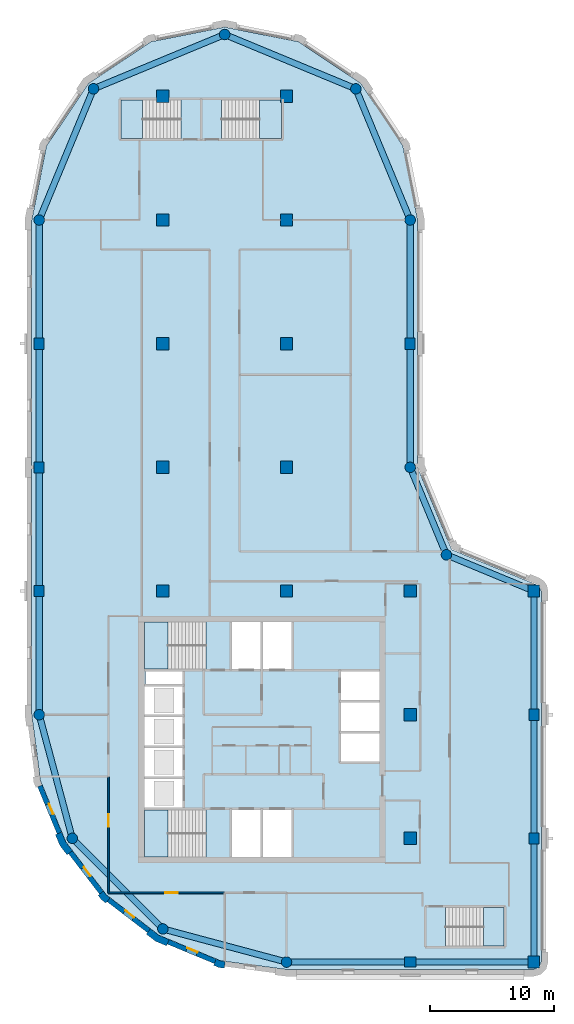
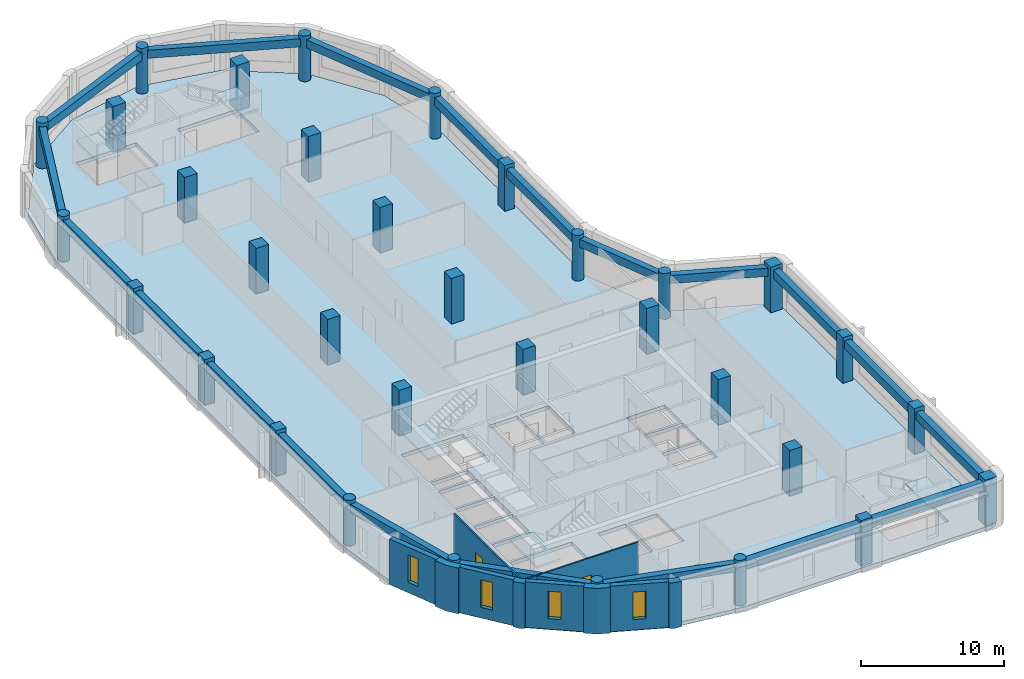
# One storey, part 1 of 8: 33 columns, 20 beams, 10 walls, 6 slabs, 4 windows, 2 doors, 6 openings, 5 elements without a shape of their own.
"""IFC4 building model written with IfcOpenShell, lengths in metres."""

from ifc_helpers import new_model, si_unit, direction, frame, frame_2d, origin, origin_2d, place, context, subcontext, project, spatial, polyline, rectangle, circle, outline, extrude, material, layer, layer_set, material_profile, profile_set, type_object, element, fill, aggregate, save


model = new_model("IFC4")

# Units and contexts
model_context = context("Model", 3, precision=1e-05, world=origin(), true_north=direction((0.0, 1.0)))
body_context = subcontext(model_context, "Body", "Model", "MODEL_VIEW")
ifc_project = project(units=[si_unit("LENGTHUNIT", "METRE"), si_unit("AREAUNIT", "SQUARE_METRE"), si_unit("VOLUMEUNIT", "CUBIC_METRE"), si_unit("PLANEANGLEUNIT", "RADIAN"), si_unit("MASSUNIT", "GRAM", prefix="KILO")], contexts=[model_context])

# Site, building, storey
site_placement = place(None, origin())
site = spatial("IfcSite", under=ifc_project, at=site_placement, CompositionType="ELEMENT")
building_placement = place(site_placement, origin())
building = spatial("IfcBuilding", under=site, at=building_placement, Name="Qaws Garden Tower", CompositionType="ELEMENT")
storey_placement = place(building_placement, frame((0.0, 0.0, 306.0)))
storey = spatial("IfcBuildingStorey", under=building, at=storey_placement, Name="L74", CompositionType="ELEMENT", Elevation=306.0)

# Columns
ifc_material_1 = material(Name="Concrete C60", Category="concrete")
ifc_material_profile_1 = material_profile(ifc_material_1, rectangle(XDim=1.0, YDim=1.0, at=origin_2d()), Name="RC 1000x1000")
ifc_profile_set_1 = profile_set([ifc_material_profile_1], Name="Concrete C60")
column_type_1 = type_object("IfcColumnType", Name="Column RC 1000x1000 C60", PredefinedType="COLUMN", material=ifc_profile_set_1)
for number, where, z_axis, x_axis, name in (
    (1, (10.0, 30.0, 0.0), (0.0, 0.0, 1.0), (1.0, 0.0, 0.0), "Column L74-021"),
    (2, (10.0, 40.0, 0.0), (0.0, 0.0, 1.0), (1.0, 0.0, 0.0), "Column L74-022"),
    (3, (10.0, 50.0, 0.0), (0.0, 0.0, 1.0), (1.0, 0.0, 0.0), "Column L74-023"),
    (4, (10.0, 60.0, 0.0), (0.0, 0.0, 1.0), (1.0, 0.0, 0.0), "Column L74-024"),
    (5, (10.0, 70.0, 0.0), (0.0, 0.0, 1.0), (1.0, 0.0, 0.0), "Column L74-025"),
    (6, (20.0, 30.0, 0.0), (0.0, 0.0, 1.0), (1.0, 0.0, 0.0), "Column L74-026"),
    (7, (20.0, 40.0, 0.0), (0.0, 0.0, 1.0), (1.0, 0.0, 0.0), "Column L74-027"),
    (8, (20.0, 50.0, 0.0), (0.0, 0.0, 1.0), (1.0, 0.0, 0.0), "Column L74-028"),
    (9, (20.0, 60.0, 0.0), (0.0, 0.0, 1.0), (1.0, 0.0, 0.0), "Column L74-029"),
    (10, (20.0, 70.0, 0.0), (0.0, 0.0, 1.0), (1.0, 0.0, 0.0), "Column L74-030"),
    (11, (30.0, 10.0, 0.0), (0.0, 0.0, 1.0), (1.0, 0.0, 0.0), "Column L74-031"),
    (12, (30.0, 20.0, 0.0), (0.0, 0.0, 1.0), (1.0, 0.0, 0.0), "Column L74-032"),
    (13, (30.0, 30.0, 0.0), (0.0, 0.0, 1.0), (1.0, 0.0, 0.0), "Column L74-033"),
):
    element("IfcColumn", number, at=place(storey_placement, frame(where, z_axis=z_axis, x_axis=x_axis)), inside=storey, type_object=column_type_1, Name=name, PredefinedType="COLUMN", context=body_context, shape_type="SweptSolid", body=[
        extrude(rectangle(XDim=1.0, YDim=1.0, at=origin_2d()), origin(), (0.0, 0.0, 1.0), 3.89990234375),
    ])
ifc_material_2 = material(Name="Concrete C60", Category="concrete")
ifc_material_profile_2 = material_profile(ifc_material_2, rectangle(XDim=0.89990234375, YDim=0.800048828125, at=origin_2d()), Name="RC 900x800")
ifc_profile_set_2 = profile_set([ifc_material_profile_2], Name="Concrete C60")
column_type_2 = type_object("IfcColumnType", Name="Column RC 900x800 C60", PredefinedType="COLUMN", material=ifc_profile_set_2)
for number, where, z_axis, x_axis, name in (
    (14, (30.0, 0.0, 0.0), (0.0, 0.0, 1.0), (1.0, 0.0, 0.0), "Column L74-002"),
    (15, (40.0, 10.0, 0.0), (0.0, 0.0, 1.0), (0.0, 1.0, 0.0), "Column L74-004"),
    (16, (40.0, 20.0, 0.0), (0.0, 0.0, 1.0), (0.0, 1.0, 0.0), "Column L74-005"),
    (17, (30.0, 50.0, 0.0), (0.0, 0.0, 1.0), (0.0, 1.0, 0.0), "Column L74-009"),
    (18, (0.0, 50.0, 0.0), (0.0, 0.0, 1.0), (0.0, 1.0, 0.0), "Column L74-015"),
    (19, (0.0, 40.0, 0.0), (0.0, 0.0, 1.0), (0.0, 1.0, 0.0), "Column L74-016"),
    (20, (0.0, 30.0, 0.0), (0.0, 0.0, 1.0), (0.0, 1.0, 0.0), "Column L74-017"),
):
    element("IfcColumn", number, at=place(storey_placement, frame(where, z_axis=z_axis, x_axis=x_axis)), inside=storey, type_object=column_type_2, Name=name, PredefinedType="COLUMN", context=body_context, shape_type="SweptSolid", body=[
        extrude(rectangle(XDim=0.89990234375, YDim=0.800048828125, at=origin_2d()), origin(), (0.0, 0.0, 1.0), 3.89990234375),
    ])
ifc_material_3 = material(Name="Concrete C60", Category="concrete")
ifc_material_profile_3 = material_profile(ifc_material_3, rectangle(XDim=0.949951171875, YDim=0.949951171875, at=origin_2d()), Name="RC 950x950")
ifc_profile_set_3 = profile_set([ifc_material_profile_3], Name="Concrete C60")
column_type_3 = type_object("IfcColumnType", Name="Column RC 950x950 C60", PredefinedType="COLUMN", material=ifc_profile_set_3)
for number, where, z_axis, x_axis, name in (
    (21, (40.0, 0.0, 0.0), (0.0, 0.0, 1.0), (1.0, 0.0, 0.0), "Column L74-003"),
    (22, (40.0, 30.0, 0.0), (0.0, 0.0, 1.0), (1.0, 0.0, 0.0), "Column L74-006"),
):
    element("IfcColumn", number, at=place(storey_placement, frame(where, z_axis=z_axis, x_axis=x_axis)), inside=storey, type_object=column_type_3, Name=name, PredefinedType="COLUMN", context=body_context, shape_type="SweptSolid", body=[
        extrude(rectangle(XDim=0.949951171875, YDim=0.949951171875, at=origin_2d()), origin(), (0.0, 0.0, 1.0), 3.89990234375),
    ])
ifc_material_4 = material(Name="Concrete C60", Category="concrete")
ifc_material_profile_4 = material_profile(ifc_material_4, circle(Radius=0.425048828125, at=origin_2d()), Name="RC D850")
ifc_profile_set_4 = profile_set([ifc_material_profile_4], Name="Concrete C60")
column_type_4 = type_object("IfcColumnType", Name="Column RC D850 C60", PredefinedType="COLUMN", material=ifc_profile_set_4)
for number, where, z_axis, x_axis, name in (
    (23, (20.0, 0.0, 0.0), (0.0, 0.0, 1.0), (1.0, 0.0, 0.0), "Column L74-001"),
    (24, (32.928955078125, 32.928955078125, 0.0), (0.0, 0.0, 1.0), (1.0, 0.0, 0.0), "Column L74-007"),
    (25, (30.0, 40.0, 0.0), (0.0, 0.0, 1.0), (1.0, 0.0, 0.0), "Column L74-008"),
    (26, (30.0, 60.0, 0.0), (0.0, 0.0, 1.0), (1.0, 0.0, 0.0), "Column L74-010"),
    (27, (25.606689453125, 70.606689453125, 0.0), (0.0, 0.0, 1.0), (1.0, 0.0, 0.0), "Column L74-011"),
    (28, (15.0, 75.0, 0.0), (0.0, 0.0, 1.0), (1.0, 0.0, 0.0), "Column L74-012"),
    (29, (4.393310546875, 70.606689453125, 0.0), (0.0, 0.0, 1.0), (1.0, 0.0, 0.0), "Column L74-013"),
    (30, (0.0, 60.0, 0.0), (0.0, 0.0, 1.0), (1.0, 0.0, 0.0), "Column L74-014"),
    (31, (0.0, 20.0, 0.0), (0.0, 0.0, 1.0), (1.0, 0.0, 0.0), "Column L74-018"),
    (32, (2.679443359375, 10.0, 0.0), (0.0, 0.0, 1.0), (1.0, 0.0, 0.0), "Column L74-019"),
    (33, (10.0, 2.679443359375, 0.0), (0.0, 0.0, 1.0), (1.0, 0.0, 0.0), "Column L74-020"),
):
    element("IfcColumn", number, at=place(storey_placement, frame(where, z_axis=z_axis, x_axis=x_axis)), inside=storey, type_object=column_type_4, Name=name, PredefinedType="COLUMN", context=body_context, shape_type="SweptSolid", body=[
        extrude(circle(Radius=0.425048828125, at=origin_2d()), origin(), (0.0, 0.0, 1.0), 3.89990234375),
    ])

# Beams
ifc_material_5 = material(Name="Concrete C45", Category="concrete")
ifc_material_profile_5 = material_profile(ifc_material_5, rectangle(XDim=0.5, YDim=0.699951171875, at=origin_2d()), Name="RC 500x700")
ifc_profile_set_5 = profile_set([ifc_material_profile_5], Name="Concrete C45")
beam_type = type_object("IfcBeamType", Name="Spandrel beam RC 500x700 C45", PredefinedType="SPANDREL", material=ifc_profile_set_5)
for number, where, z_axis, x_axis, name in (
    (34, (20.0, 0.0, 3.22998046875), (1.0, 0.0, 0.0), (0.0, 1.0, 0.0), "Spandrel beam L74-001"),
    (35, (30.0, 0.0, 3.22998046875), (1.0, 0.0, 0.0), (0.0, 1.0, 0.0), "Spandrel beam L74-002"),
    (36, (40.0, 0.0, 3.22998046875), (0.0, 1.0, 0.0), (-1.0, 0.0, 0.0), "Spandrel beam L74-003"),
    (37, (40.0, 10.0, 3.22998046875), (0.0, 1.0, 0.0), (-1.0, 0.0, 0.0), "Spandrel beam L74-004"),
    (38, (40.0, 20.0, 3.22998046875), (0.0, 1.0, 0.0), (-1.0, 0.0, 0.0), "Spandrel beam L74-005"),
):
    element("IfcBeam", number, at=place(storey_placement, frame(where, z_axis=z_axis, x_axis=x_axis)), inside=storey, type_object=beam_type, Name=name, PredefinedType="SPANDREL", context=body_context, shape_type="SweptSolid", body=[
        extrude(rectangle(XDim=0.5, YDim=0.699951171875, at=origin_2d()), origin(), (0.0, 0.0, 1.0), 10.0),
    ])
for number, where, z_axis, x_axis, name in (
    (39, (40.0, 30.0, 3.22998046875), (-0.923878037141, 0.382687042488, 0.0), (-0.382687042488, -0.923878037141, 0.0), "Spandrel beam L74-006"),
    (40, (32.928955078125, 32.928955078125, 3.22998046875), (-0.382687042488, 0.923878037141, 0.0), (-0.923878037141, -0.382687042488, 0.0), "Spandrel beam L74-007"),
):
    element("IfcBeam", number, at=place(storey_placement, frame(where, z_axis=z_axis, x_axis=x_axis)), inside=storey, type_object=beam_type, Name=name, PredefinedType="SPANDREL", context=body_context, shape_type="SweptSolid", body=[
        extrude(rectangle(XDim=0.5, YDim=0.699951171875, at=origin_2d()), origin(), (0.0, 0.0, 1.0), 7.653564453125),
    ])
for number, where, z_axis, x_axis, name in (
    (41, (30.0, 40.0, 3.22998046875), (0.0, 1.0, 0.0), (-1.0, 0.0, 0.0), "Spandrel beam L74-008"),
    (42, (30.0, 50.0, 3.22998046875), (0.0, 1.0, 0.0), (-1.0, 0.0, 0.0), "Spandrel beam L74-009"),
):
    element("IfcBeam", number, at=place(storey_placement, frame(where, z_axis=z_axis, x_axis=x_axis)), inside=storey, type_object=beam_type, Name=name, PredefinedType="SPANDREL", context=body_context, shape_type="SweptSolid", body=[
        extrude(rectangle(XDim=0.5, YDim=0.699951171875, at=origin_2d()), origin(), (0.0, 0.0, 1.0), 10.0),
    ])
for number, where, z_axis, x_axis, name in (
    (43, (30.0, 60.0, 3.22998046875), (-0.382674207535, 0.923883353507, 0.0), (-0.923883353507, -0.382674207535, 0.0), "Spandrel beam L74-010"),
    (44, (25.606689453125, 70.606689453125, 3.22998046875), (-0.923883353507, 0.382674207535, 0.0), (-0.382674207535, -0.923883353507, 0.0), "Spandrel beam L74-011"),
    (45, (15.0, 75.0, 3.22998046875), (-0.923883353507, -0.382674207535, 0.0), (0.382674207535, -0.923883353507, 0.0), "Spandrel beam L74-012"),
    (46, (4.393310546875, 70.606689453125, 3.22998046875), (-0.382674207535, -0.923883353507, 0.0), (0.923883353507, -0.382674207535, 0.0), "Spandrel beam L74-013"),
):
    element("IfcBeam", number, at=place(storey_placement, frame(where, z_axis=z_axis, x_axis=x_axis)), inside=storey, type_object=beam_type, Name=name, PredefinedType="SPANDREL", context=body_context, shape_type="SweptSolid", body=[
        extrude(rectangle(XDim=0.5, YDim=0.699951171875, at=origin_2d()), origin(), (0.0, 0.0, 1.0), 11.48046875),
    ])
for number, where, z_axis, x_axis, name in (
    (47, (0.0, 60.0, 3.22998046875), (0.0, -1.0, 0.0), (1.0, 0.0, 0.0), "Spandrel beam L74-014"),
    (48, (0.0, 50.0, 3.22998046875), (0.0, -1.0, 0.0), (1.0, 0.0, 0.0), "Spandrel beam L74-015"),
    (49, (0.0, 40.0, 3.22998046875), (0.0, -1.0, 0.0), (1.0, 0.0, 0.0), "Spandrel beam L74-016"),
    (50, (0.0, 30.0, 3.22998046875), (0.0, -1.0, 0.0), (1.0, 0.0, 0.0), "Spandrel beam L74-017"),
):
    element("IfcBeam", number, at=place(storey_placement, frame(where, z_axis=z_axis, x_axis=x_axis)), inside=storey, type_object=beam_type, Name=name, PredefinedType="SPANDREL", context=body_context, shape_type="SweptSolid", body=[
        extrude(rectangle(XDim=0.5, YDim=0.699951171875, at=origin_2d()), origin(), (0.0, 0.0, 1.0), 10.0),
    ])
for number, where, z_axis, x_axis, name in (
    (51, (0.0, 20.0, 3.22998046875), (0.25881466832, -0.965926999034, 0.0), (0.965926999034, 0.25881466832, 0.0), "Spandrel beam L74-018"),
    (52, (2.679443359375, 10.0, 3.22998046875), (0.707106781187, -0.707106781187, 0.0), (0.707106781187, 0.707106781187, 0.0), "Spandrel beam L74-019"),
    (53, (10.0, 2.679443359375, 3.22998046875), (0.965926999034, -0.25881466832, 0.0), (0.25881466832, 0.965926999034, 0.0), "Spandrel beam L74-020"),
):
    element("IfcBeam", number, at=place(storey_placement, frame(where, z_axis=z_axis, x_axis=x_axis)), inside=storey, type_object=beam_type, Name=name, PredefinedType="SPANDREL", context=body_context, shape_type="SweptSolid", body=[
        extrude(rectangle(XDim=0.5, YDim=0.699951171875, at=origin_2d()), origin(), (0.0, 0.0, 1.0), 10.352783203125),
    ])

# Slab
ifc_material_6 = material(Name="Concrete C40", Category="concrete")
ifc_layer_1 = layer(ifc_material_6, 0.320068359375)
ifc_layer_set_1 = layer_set([ifc_layer_1], Name="Concrete C40")
slab_type_1 = type_object("IfcSlabType", Name="Floor slab 320 C40", PredefinedType="FLOOR", material=ifc_layer_set_1)
slab_1_placement = place(storey_placement, frame((0.0, 0.0, -0.320068359375)))
element("IfcSlab", 54, at=slab_1_placement, inside=storey, type_object=slab_type_1, Name="Floor slab L74", PredefinedType="FLOOR", context=body_context, shape_type="SweptSolid", body=[
    extrude(outline(polyline([(0.101806640625, 14.668212890625), (-0.60009765625, 20.0), (-0.60009765625, 30.60009765625), (-0.60009765625, 60.0), (-0.60009765625, 60.0), (0.58740234375, 65.969970703125), (3.968994140625, 71.031005859375), (9.030029296875, 74.41259765625), (15.0, 75.60009765625), (20.969970703125, 74.41259765625), (26.031005859375, 71.031005859375), (29.41259765625, 65.969970703125), (30.60009765625, 60.0), (30.60009765625, 40.0), (33.353271484375, 33.353271484375), (40.0, 30.60009765625), (40.42431640625, 30.42431640625), (40.60009765625, 30.0), (40.60009765625, 0.0), (40.42431640625, -0.42431640625), (40.0, -0.60009765625), (30.60009765625, -0.60009765625), (20.0, -0.60009765625), (14.668212890625, 0.101806640625), (9.699951171875, 2.159912109375), (5.43359375, 5.43359375), (2.159912109375, 9.699951171875), (0.101806640625, 14.668212890625)]), holes=[polyline([(13.49951171875, 12.300048828125), (8.5, 12.300048828125), (8.5, 8.5), (13.49951171875, 8.5), (13.49951171875, 12.300048828125)]), polyline([(17.89990234375, 12.300048828125), (15.60009765625, 12.300048828125), (15.60009765625, 8.5), (17.89990234375, 8.5), (17.89990234375, 12.300048828125)]), polyline([(11.60009765625, 14.800048828125), (8.5, 14.800048828125), (8.5, 12.5), (11.60009765625, 12.5), (11.60009765625, 14.800048828125)]), polyline([(11.60009765625, 17.300048828125), (8.5, 17.300048828125), (8.5, 15.0), (11.60009765625, 15.0), (11.60009765625, 17.300048828125)]), polyline([(11.60009765625, 19.800048828125), (8.5, 19.800048828125), (8.5, 17.5), (11.60009765625, 17.5), (11.60009765625, 19.800048828125)]), polyline([(11.60009765625, 22.300048828125), (8.5, 22.300048828125), (8.5, 20.0), (11.60009765625, 20.0), (11.60009765625, 22.300048828125)]), polyline([(11.60009765625, 23.5), (8.60009765625, 23.5), (8.60009765625, 22.5), (11.60009765625, 22.5), (11.60009765625, 23.5)]), polyline([(13.49951171875, 27.5), (8.5, 27.5), (8.5, 23.699951171875), (13.49951171875, 23.699951171875), (13.49951171875, 27.5)]), polyline([(11.449462890625, 69.699951171875), (6.60009765625, 69.699951171875), (6.60009765625, 66.60009765625), (11.449462890625, 66.60009765625), (11.449462890625, 69.699951171875)]), polyline([(37.60009765625, 4.39990234375), (32.8505859375, 4.39990234375), (32.8505859375, 1.300048828125), (37.60009765625, 1.300048828125), (37.60009765625, 4.39990234375)]), polyline([(20.39990234375, 12.300048828125), (18.10009765625, 12.300048828125), (18.10009765625, 8.5), (20.39990234375, 8.5), (20.39990234375, 12.300048828125)]), polyline([(27.5, 18.5), (24.39990234375, 18.5), (24.39990234375, 16.199951171875), (27.5, 16.199951171875), (27.5, 18.5)]), polyline([(27.5, 21.0), (24.39990234375, 21.0), (24.39990234375, 18.699951171875), (27.5, 18.699951171875), (27.5, 21.0)]), polyline([(27.5, 23.5), (24.39990234375, 23.5), (24.39990234375, 21.199951171875), (27.5, 21.199951171875), (27.5, 23.5)]), polyline([(17.89990234375, 27.5), (15.60009765625, 27.5), (15.60009765625, 23.699951171875), (17.89990234375, 23.699951171875), (17.89990234375, 27.5)]), polyline([(20.39990234375, 23.699951171875), (20.39990234375, 27.5), (18.10009765625, 27.5), (18.10009765625, 23.699951171875), (20.39990234375, 23.699951171875)]), polyline([(19.60009765625, 66.60009765625), (19.60009765625, 69.699951171875), (14.75048828125, 69.699951171875), (14.75048828125, 66.60009765625), (19.60009765625, 66.60009765625)])]), origin(), (0.0, 0.0, 1.0), 0.320068359375),
])

# Stair, slab
ifc_material_7 = material(Name="Concrete C40", Category="concrete")
stair_type_1 = type_object("IfcStairType", Name="Exit stair 1500", PredefinedType="HALF_TURN_STAIR", material=ifc_material_7)
placement_1 = place(storey_placement, origin())
stair_1 = element("IfcStair", 55, at=placement_1, inside=storey, type_object=stair_type_1, Name="Stair 1", PredefinedType="HALF_TURN_STAIR")
ifc_material_8 = material(Name="Concrete C40", Category="concrete")
ifc_layer_2 = layer(ifc_material_8, 0.199951171875)
ifc_layer_set_2 = layer_set([ifc_layer_2], Name="Concrete C40")
slab_type_2 = type_object("IfcSlabType", Name="Stair landing 200", PredefinedType="LANDING", material=ifc_layer_set_2)
placement_2 = place(storey_placement, frame((0.0, 0.0, 1.75)))
slab_2 = element("IfcSlab", 56, at=placement_2, type_object=slab_type_2, Name="ST1 landing 1", PredefinedType="LANDING", context=body_context, shape_type="SweptSolid", body=[
    extrude(outline(polyline([(8.5, 8.5), (10.419921875, 8.5), (10.419921875, 12.300048828125), (8.5, 12.300048828125), (8.5, 8.5)])), origin(), (0.0, 0.0, 1.0), 0.199951171875),
])
aggregate(stair_1, [slab_2])

stair_2 = element("IfcStair", 57, at=placement_1, inside=storey, type_object=stair_type_1, Name="Stair 4", PredefinedType="HALF_TURN_STAIR")
slab_3 = element("IfcSlab", 58, at=placement_2, type_object=slab_type_2, Name="ST4 landing 1", PredefinedType="LANDING", context=body_context, shape_type="SweptSolid", body=[
    extrude(outline(polyline([(8.5, 23.699951171875), (10.419921875, 23.699951171875), (10.419921875, 27.5), (8.5, 27.5), (8.5, 23.699951171875)])), origin(), (0.0, 0.0, 1.0), 0.199951171875),
])
aggregate(stair_2, [slab_3])

ifc_material_9 = material(Name="Concrete C40", Category="concrete")
stair_type_2 = type_object("IfcStairType", Name="Exit stair 1350", PredefinedType="HALF_TURN_STAIR", material=ifc_material_9)
stair_3 = element("IfcStair", 59, at=placement_1, inside=storey, type_object=stair_type_2, Name="Stair 5", PredefinedType="HALF_TURN_STAIR")
slab_4 = element("IfcSlab", 60, at=placement_2, type_object=slab_type_2, Name="ST5 landing 1", PredefinedType="LANDING", context=body_context, shape_type="SweptSolid", body=[
    extrude(outline(polyline([(35.929931640625, 1.300048828125), (37.60009765625, 1.300048828125), (37.60009765625, 4.39990234375), (35.929931640625, 4.39990234375), (35.929931640625, 1.300048828125)])), origin(), (0.0, 0.0, 1.0), 0.199951171875),
])
aggregate(stair_3, [slab_4])

stair_4 = element("IfcStair", 61, at=placement_1, inside=storey, type_object=stair_type_2, Name="Stair 6", PredefinedType="HALF_TURN_STAIR")
slab_5 = element("IfcSlab", 62, at=placement_2, type_object=slab_type_2, Name="ST6 landing 1", PredefinedType="LANDING", context=body_context, shape_type="SweptSolid", body=[
    extrude(outline(polyline([(6.60009765625, 66.60009765625), (8.3701171875, 66.60009765625), (8.3701171875, 69.699951171875), (6.60009765625, 69.699951171875), (6.60009765625, 66.60009765625)])), origin(), (0.0, 0.0, 1.0), 0.199951171875),
])
aggregate(stair_4, [slab_5])

stair_5 = element("IfcStair", 63, at=placement_1, inside=storey, type_object=stair_type_2, Name="Stair 7", PredefinedType="HALF_TURN_STAIR")
slab_6 = element("IfcSlab", 64, at=placement_2, type_object=slab_type_2, Name="ST7 landing 1", PredefinedType="LANDING", context=body_context, shape_type="SweptSolid", body=[
    extrude(outline(polyline([(17.830078125, 66.60009765625), (19.60009765625, 66.60009765625), (19.60009765625, 69.699951171875), (17.830078125, 69.699951171875), (17.830078125, 66.60009765625)])), origin(), (0.0, 0.0, 1.0), 0.199951171875),
])
aggregate(stair_5, [slab_6])

# Wall, opening, window
ifc_material_10 = material(Name="Clay facing brick masonry", Category="masonry")
ifc_layer_3 = layer(ifc_material_10, 0.39990234375)
ifc_layer_set_3 = layer_set([ifc_layer_3], Name="Clay facing brick masonry")
wall_type_1 = type_object("IfcWallType", Name="Brick infill wall 400", PredefinedType="SOLIDWALL", material=ifc_layer_set_3)
wall_1_placement = place(storey_placement, frame((0.05712890625, 14.240234375, 0.0), z_axis=(0.0, 0.0, 1.0), x_axis=(0.382721546029, -0.923863744394, 0.0)))
wall_1 = element("IfcWall", 65, at=wall_1_placement, inside=storey, type_object=wall_type_1, Name="E-L74-infill-22", PredefinedType="SOLIDWALL", context=body_context, shape_type="SweptSolid", body=[
    extrude(rectangle(XDim=4.120849609375, YDim=0.39990234375, at=frame_2d((2.060546875, 0.0))), origin(), (0.0, 0.0, 1.0), 3.89990234375),
])
opening_1_placement = place(wall_1_placement, frame((1.610595703125, 0.0, 0.89990234375)))
opening_1 = element("IfcOpeningElement", 66, at=opening_1_placement, cuts=wall_1, Name="Opening W09", PredefinedType="OPENING", context=body_context, shape_type="SweptSolid", body=[
    extrude(rectangle(XDim=0.89990234375, YDim=2.35009765625, at=frame_2d((0.449951171875, 1.175048828125))), frame((0.0, 0.2099609375, 0.0), z_axis=(0.0, -1.0, 0.0), x_axis=(1.0, 0.0, 0.0)), (0.0, 0.0, 1.0), 0.419921875),
])
ifc_material_11 = material(Name="Aluminium framed window, clear glazing", Category="aluminium")
window_type = type_object("IfcWindowType", Name="Slit window 900 x 2350", PartitioningType="SINGLE_PANEL", PredefinedType="WINDOW", material=ifc_material_11)
window_1_placement = place(opening_1_placement, origin())
window_1 = element("IfcWindow", 67, at=window_1_placement, inside=storey, type_object=window_type, Name="E-L74-window-22-0", OverallHeight=2.35009765625, OverallWidth=0.89990234375, PartitioningType="SINGLE_PANEL", PredefinedType="WINDOW", context=body_context, shape_type="SweptSolid", body=[
    extrude(rectangle(XDim=0.89990234375, YDim=2.35009765625, at=frame_2d((0.449951171875, 1.175048828125))), frame((0.0, 0.159912109375, 0.0), z_axis=(0.0, -1.0, 0.0), x_axis=(1.0, 0.0, 0.0)), (0.0, 0.0, 1.0), 0.06005859375),
])
fill(opening_1, window_1)

wall_2_placement = place(storey_placement, frame((2.53173828125, 8.87841796875, 0.0), z_axis=(0.0, 0.0, 1.0), x_axis=(0.608759824817, -0.793354571229, 0.0)))
wall_2 = element("IfcWall", 68, at=wall_2_placement, inside=storey, type_object=wall_type_1, Name="E-L74-infill-23", PredefinedType="SOLIDWALL", context=body_context, shape_type="SweptSolid", body=[
    extrude(rectangle(XDim=4.12109375, YDim=0.39990234375, at=frame_2d((2.060546875, 0.0))), origin(), (0.0, 0.0, 1.0), 3.89990234375),
])
opening_2_placement = place(wall_2_placement, frame((1.610595703125, 0.0, 0.89990234375)))
opening_2 = element("IfcOpeningElement", 69, at=opening_2_placement, cuts=wall_2, Name="Opening W09", PredefinedType="OPENING", context=body_context, shape_type="SweptSolid", body=[
    extrude(rectangle(XDim=0.89990234375, YDim=2.35009765625, at=frame_2d((0.449951171875, 1.175048828125))), frame((0.0, 0.2099609375, 0.0), z_axis=(0.0, -1.0, 0.0), x_axis=(1.0, 0.0, 0.0)), (0.0, 0.0, 1.0), 0.419921875),
])
window_2_placement = place(opening_2_placement, origin())
window_2 = element("IfcWindow", 70, at=window_2_placement, inside=storey, type_object=window_type, Name="E-L74-window-23-0", OverallHeight=2.35009765625, OverallWidth=0.89990234375, PartitioningType="SINGLE_PANEL", PredefinedType="WINDOW", context=body_context, shape_type="SweptSolid", body=[
    extrude(rectangle(XDim=0.89990234375, YDim=2.35009765625, at=frame_2d((0.449951171875, 1.175048828125))), frame((0.0, 0.159912109375, 0.0), z_axis=(0.0, -1.0, 0.0), x_axis=(1.0, 0.0, 0.0)), (0.0, 0.0, 1.0), 0.06005859375),
])
fill(opening_2, window_2)

wall_3_placement = place(storey_placement, frame((5.60888671875, 5.04052734375, 0.0), z_axis=(0.0, 0.0, 1.0), x_axis=(0.793354571229, -0.608759824817, 0.0)))
wall_3 = element("IfcWall", 71, at=wall_3_placement, inside=storey, type_object=wall_type_1, Name="E-L74-infill-24", PredefinedType="SOLIDWALL", context=body_context, shape_type="SweptSolid", body=[
    extrude(rectangle(XDim=4.12109375, YDim=0.39990234375, at=frame_2d((2.060546875, 0.0))), origin(), (0.0, 0.0, 1.0), 3.89990234375),
])
opening_3_placement = place(wall_3_placement, frame((1.610595703125, 0.0, 0.89990234375)))
opening_3 = element("IfcOpeningElement", 72, at=opening_3_placement, cuts=wall_3, Name="Opening W09", PredefinedType="OPENING", context=body_context, shape_type="SweptSolid", body=[
    extrude(rectangle(XDim=0.89990234375, YDim=2.35009765625, at=frame_2d((0.449951171875, 1.175048828125))), frame((0.0, 0.2099609375, 0.0), z_axis=(0.0, -1.0, 0.0), x_axis=(1.0, 0.0, 0.0)), (0.0, 0.0, 1.0), 0.419921875),
])
window_3_placement = place(opening_3_placement, origin())
window_3 = element("IfcWindow", 73, at=window_3_placement, inside=storey, type_object=window_type, Name="E-L74-window-24-0", OverallHeight=2.35009765625, OverallWidth=0.89990234375, PartitioningType="SINGLE_PANEL", PredefinedType="WINDOW", context=body_context, shape_type="SweptSolid", body=[
    extrude(rectangle(XDim=0.89990234375, YDim=2.35009765625, at=frame_2d((0.449951171875, 1.175048828125))), frame((0.0, 0.159912109375, 0.0), z_axis=(0.0, -1.0, 0.0), x_axis=(1.0, 0.0, 0.0)), (0.0, 0.0, 1.0), 0.06005859375),
])
fill(opening_3, window_3)

wall_4_placement = place(storey_placement, frame((10.43310546875, 1.63427734375, 0.0), z_axis=(0.0, 0.0, 1.0), x_axis=(0.923863744394, -0.382721546029, 0.0)))
wall_4 = element("IfcWall", 74, at=wall_4_placement, inside=storey, type_object=wall_type_1, Name="E-L74-infill-25", PredefinedType="SOLIDWALL", context=body_context, shape_type="SweptSolid", body=[
    extrude(rectangle(XDim=4.120849609375, YDim=0.39990234375, at=frame_2d((2.060546875, 0.0))), origin(), (0.0, 0.0, 1.0), 3.89990234375),
])
opening_4_placement = place(wall_4_placement, frame((1.610595703125, 0.0, 0.89990234375)))
opening_4 = element("IfcOpeningElement", 75, at=opening_4_placement, cuts=wall_4, Name="Opening W09", PredefinedType="OPENING", context=body_context, shape_type="SweptSolid", body=[
    extrude(rectangle(XDim=0.89990234375, YDim=2.35009765625, at=frame_2d((0.449951171875, 1.175048828125))), frame((0.0, 0.2099609375, 0.0), z_axis=(0.0, -1.0, 0.0), x_axis=(1.0, 0.0, 0.0)), (0.0, 0.0, 1.0), 0.419921875),
])
window_4_placement = place(opening_4_placement, origin())
window_4 = element("IfcWindow", 76, at=window_4_placement, inside=storey, type_object=window_type, Name="E-L74-window-25-0", OverallHeight=2.35009765625, OverallWidth=0.89990234375, PartitioningType="SINGLE_PANEL", PredefinedType="WINDOW", context=body_context, shape_type="SweptSolid", body=[
    extrude(rectangle(XDim=0.89990234375, YDim=2.35009765625, at=frame_2d((0.449951171875, 1.175048828125))), frame((0.0, 0.159912109375, 0.0), z_axis=(0.0, -1.0, 0.0), x_axis=(1.0, 0.0, 0.0)), (0.0, 0.0, 1.0), 0.06005859375),
])
fill(opening_4, window_4)

# Walls
ifc_material_12 = material(Name="Clay facing brick masonry", Category="masonry")
ifc_layer_4 = layer(ifc_material_12, 0.550048828125)
ifc_layer_set_4 = layer_set([ifc_layer_4], Name="Clay facing brick masonry")
wall_type_2 = type_object("IfcWallType", Name="Brick kink pier 550 x 600", PredefinedType="SOLIDWALL", material=ifc_layer_set_4)
element("IfcWall", 77, at=placement_1, inside=storey, type_object=wall_type_2, Name="E-L74-pier-24", PredefinedType="SOLIDWALL", context=body_context, shape_type="SweptSolid", body=[
    extrude(outline(polyline([(4.8818359375, 5.487060546875), (4.762939453125, 5.395751953125), (5.03759765625, 5.03759765625), (5.395751953125, 4.762939453125), (5.487060546875, 4.8818359375), (5.730712890625, 5.19921875), (5.429931640625, 5.429931640625), (5.19921875, 5.730712890625), (4.8818359375, 5.487060546875)])), origin(), (0.0, 0.0, 1.0), 3.89990234375),
])
element("IfcWall", 78, at=placement_1, inside=storey, type_object=wall_type_2, Name="E-L74-pier-26", PredefinedType="SOLIDWALL", context=body_context, shape_type="SweptSolid", body=[
    extrude(outline(polyline([(14.163818359375, -0.127685546875), (14.1064453125, -0.26611328125), (14.5234375, -0.43896484375), (14.970947265625, -0.497802734375), (14.990478515625, -0.34912109375), (15.042724609375, 0.04736328125), (14.6669921875, 0.096923828125), (14.31689453125, 0.241943359375), (14.163818359375, -0.127685546875)])), origin(), (0.0, 0.0, 1.0), 3.89990234375),
])
ifc_material_13 = material(Name="Clay facing brick masonry", Category="masonry")
ifc_layer_5 = layer(ifc_material_13, 0.550048828125)
ifc_layer_set_5 = layer_set([ifc_layer_5], Name="Clay facing brick masonry")
wall_type_3 = type_object("IfcWallType", Name="Brick pier 550 x 1600", PredefinedType="SOLIDWALL", material=ifc_layer_set_5)
element("IfcWall", 79, at=placement_1, inside=storey, type_object=wall_type_3, Name="E-L74-pier-23", PredefinedType="SOLIDWALL", context=body_context, shape_type="SweptSolid", body=[
    extrude(outline(polyline([(1.449462890625, 10.3564453125), (1.310791015625, 10.299072265625), (1.675048828125, 9.419921875), (2.254150390625, 8.665283203125), (2.373046875, 8.756591796875), (2.6904296875, 9.0), (2.1552734375, 9.697509765625), (1.819091796875, 10.509521484375), (1.449462890625, 10.3564453125)])), origin(), (0.0, 0.0, 1.0), 3.89990234375),
])
element("IfcWall", 80, at=placement_1, inside=storey, type_object=wall_type_3, Name="E-L74-pier-25", PredefinedType="SOLIDWALL", context=body_context, shape_type="SweptSolid", body=[
    extrude(outline(polyline([(8.756591796875, 2.373046875), (8.665283203125, 2.254150390625), (9.419921875, 1.675048828125), (10.299072265625, 1.310791015625), (10.3564453125, 1.449462890625), (10.509521484375, 1.819091796875), (9.697509765625, 2.1552734375), (9.0, 2.6904296875), (8.756591796875, 2.373046875)])), origin(), (0.0, 0.0, 1.0), 3.89990234375),
])

# Wall, opening, door
ifc_material_14 = material(Name="Glass and aluminium framing", Category="aluminium")
ifc_layer_6 = layer(ifc_material_14, 0.1201171875)
ifc_layer_set_6 = layer_set([ifc_layer_6], Name="Glass and aluminium framing")
wall_type_4 = type_object("IfcWallType", Name="GLAZED PARTITION 120 EI 30", PredefinedType="PARTITIONING", material=ifc_layer_set_6)
wall_9_placement = place(storey_placement, frame((5.60009765625, 5.60009765625, 0.0), z_axis=(0.0, 0.0, 1.0), x_axis=(0.0, 1.0, 0.0)))
wall_9 = element("IfcWall", 81, at=wall_9_placement, inside=storey, type_object=wall_type_4, Name="O-L74-wall-027", PredefinedType="PARTITIONING", context=body_context, shape_type="SweptSolid", body=[
    extrude(rectangle(XDim=9.39990234375, YDim=0.1201171875, at=frame_2d((4.699951171875, 0.0))), origin(), (0.0, 0.0, 1.0), 3.580078125),
])
opening_5_placement = place(wall_9_placement, frame((5.35009765625, 0.0, 0.0)))
opening_5 = element("IfcOpeningElement", 82, at=opening_5_placement, cuts=wall_9, Name="Opening C701", PredefinedType="OPENING", context=body_context, shape_type="SweptSolid", body=[
    extrude(rectangle(XDim=1.0, YDim=2.10009765625, at=frame_2d((0.5, 1.050048828125))), frame((0.0, 0.070068359375, 0.0), z_axis=(0.0, -1.0, 0.0), x_axis=(1.0, 0.0, 0.0)), (0.0, 0.0, 1.0), 0.14013671875),
])
ifc_material_15 = material(Name="Timber door leaf", Category="wood")
door_type = type_object("IfcDoorType", Name="TENANCY ENTRANCE DOOR 1000 X 2100", OperationType="SINGLE_SWING_LEFT", PredefinedType="DOOR", material=ifc_material_15)
door_1_placement = place(opening_5_placement, origin())
door_1 = element("IfcDoor", 83, at=door_1_placement, inside=storey, type_object=door_type, Name="O-L74-door-001", OperationType="SINGLE_SWING_RIGHT", OverallHeight=2.10009765625, OverallWidth=1.0, PredefinedType="DOOR", context=body_context, shape_type="SweptSolid", body=[
    extrude(rectangle(XDim=1.0, YDim=2.10009765625, at=frame_2d((0.5, 1.050048828125))), frame((0.0, 0.02490234375, 0.0), z_axis=(0.0, -1.0, 0.0), x_axis=(1.0, 0.0, 0.0)), (0.0, 0.0, 1.0), 0.050048828125),
])
fill(opening_5, door_1)

wall_10_placement = place(storey_placement, frame((5.60009765625, 5.60009765625, 0.0), z_axis=(0.0, 0.0, 1.0), x_axis=(1.0, 0.0, 0.0)))
wall_10 = element("IfcWall", 84, at=wall_10_placement, inside=storey, type_object=wall_type_4, Name="O-L74-wall-036", PredefinedType="PARTITIONING", context=body_context, shape_type="SweptSolid", body=[
    extrude(rectangle(XDim=9.39990234375, YDim=0.1201171875, at=frame_2d((4.699951171875, 0.0))), origin(), (0.0, 0.0, 1.0), 3.580078125),
])
opening_6_placement = place(wall_10_placement, frame((4.60009765625, 0.0, 0.0)))
opening_6 = element("IfcOpeningElement", 85, at=opening_6_placement, cuts=wall_10, Name="Opening C708", PredefinedType="OPENING", context=body_context, shape_type="SweptSolid", body=[
    extrude(rectangle(XDim=1.0, YDim=2.10009765625, at=frame_2d((0.5, 1.050048828125))), frame((0.0, 0.070068359375, 0.0), z_axis=(0.0, -1.0, 0.0), x_axis=(1.0, 0.0, 0.0)), (0.0, 0.0, 1.0), 0.14013671875),
])
door_2_placement = place(opening_6_placement, frame((1.0, 0.0, 0.0), z_axis=(0.0, 0.0, 1.0), x_axis=(-1.0, 0.0, 0.0)))
door_2 = element("IfcDoor", 86, at=door_2_placement, inside=storey, type_object=door_type, Name="O-L74-door-008", OperationType="SINGLE_SWING_LEFT", OverallHeight=2.10009765625, OverallWidth=1.0, PredefinedType="DOOR", context=body_context, shape_type="SweptSolid", body=[
    extrude(rectangle(XDim=1.0, YDim=2.10009765625, at=frame_2d((0.5, 1.050048828125))), frame((0.0, 0.02490234375, 0.0), z_axis=(0.0, -1.0, 0.0), x_axis=(1.0, 0.0, 0.0)), (0.0, 0.0, 1.0), 0.050048828125),
])
fill(opening_6, door_2)

save(model, "model.ifc")
